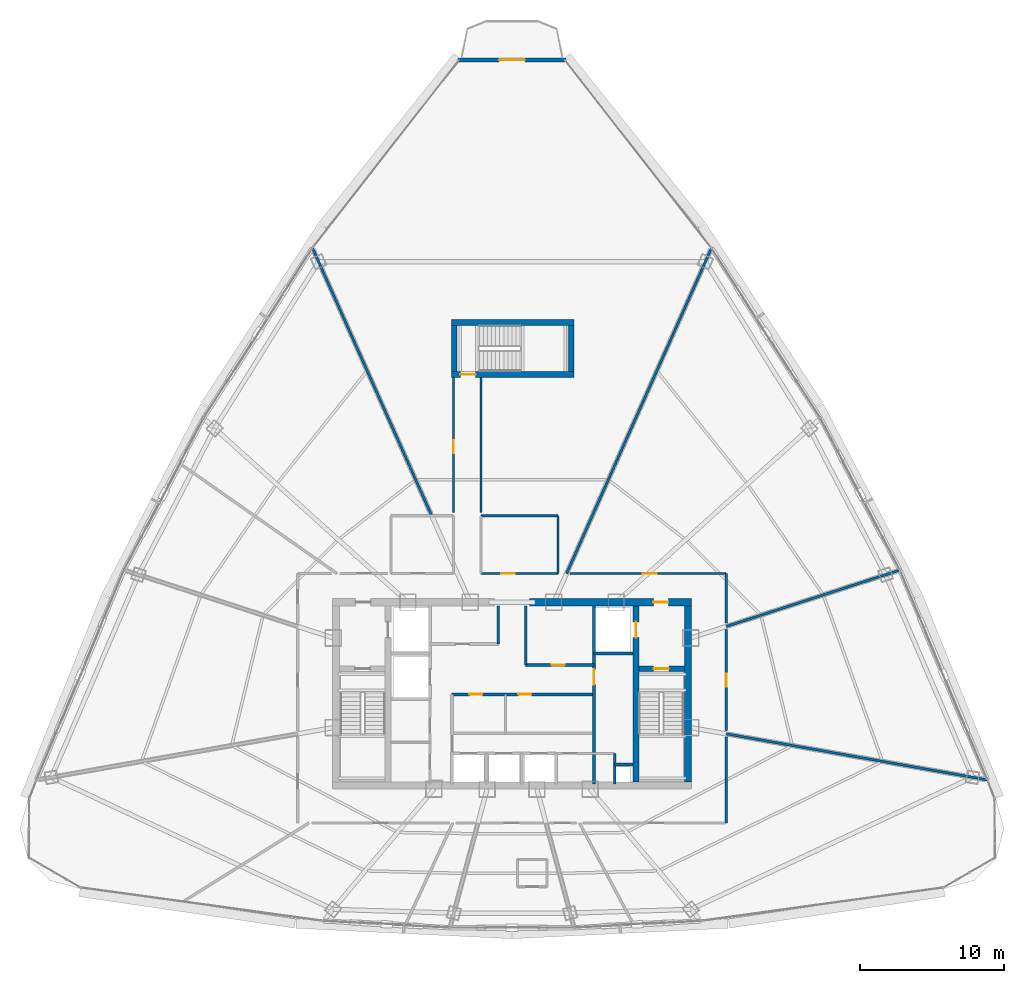
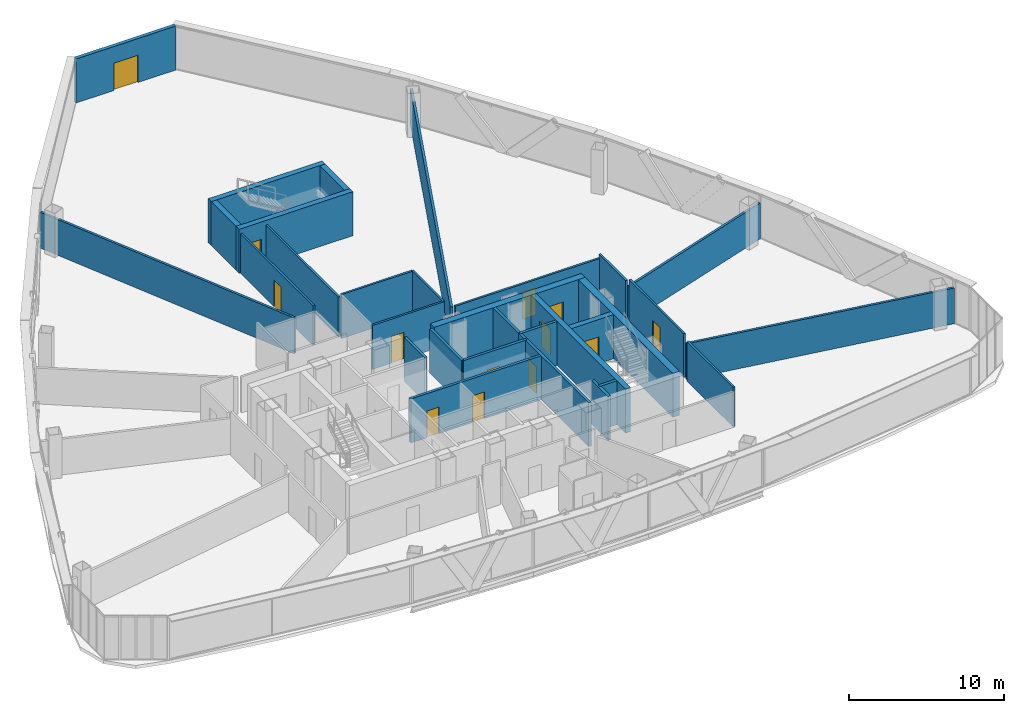
# One storey, part 31 of 36: 31 walls, 13 doors, 13 openings.
"""IFC4 building model written with IfcOpenShell, lengths in metres."""

from ifc_helpers import new_model, si_unit, direction, frame, frame_2d, origin, origin_with_axes, place, context, subcontext, project, spatial, rectangle, extrude, source, transform, mapped, material, layer, layer_set, type_object, element, fill, save


model = new_model("IFC4")

# Units and contexts
model_context = context("Model", 3, precision=1e-05, world=origin(), true_north=direction((0.0, 1.0)))
body_context = subcontext(model_context, "Body", "Model", "MODEL_VIEW")
ifc_project = project(units=[si_unit("LENGTHUNIT", "METRE"), si_unit("AREAUNIT", "SQUARE_METRE"), si_unit("VOLUMEUNIT", "CUBIC_METRE"), si_unit("PLANEANGLEUNIT", "RADIAN"), si_unit("MASSUNIT", "GRAM", prefix="KILO"), si_unit("THERMODYNAMICTEMPERATUREUNIT", "KELVIN"), si_unit("POWERUNIT", "WATT")], contexts=[model_context])

# Site, building, storey
site_placement = place(None, origin())
site = spatial("IfcSite", under=ifc_project, at=site_placement, CompositionType="ELEMENT")
building_placement = place(site_placement, origin())
building = spatial("IfcBuilding", under=site, at=building_placement, Name="Yunzhuo Pagoda Commons", CompositionType="ELEMENT")
storey_placement = place(building_placement, frame((0.0, 0.0, 263.179931640625)))
storey = spatial("IfcBuildingStorey", under=building, at=storey_placement, Name="L66", CompositionType="ELEMENT", Elevation=263.179931640625)

# Wall, opening, door
ifc_material_1 = material(Name="Precast concrete C40", Category="concrete")
ifc_layer_1 = layer(ifc_material_1, 0.260009765625)
ifc_layer_set_1 = layer_set([ifc_layer_1], Name="Precast concrete C40")
wall_type_1 = type_object("IfcWallType", Name="W-BAL1 Corner Balcony Threshold Wall 260", PredefinedType="STANDARD", material=ifc_layer_set_1)
wall_1_placement = place(storey_placement, frame((51.729248046875, 77.794921875, 0.0), z_axis=(0.0, 0.0, 1.0), x_axis=(-1.0, 0.0, 0.0)))
wall_1 = element("IfcWall", 1, at=wall_1_placement, inside=storey, type_object=wall_type_1, Name="L66 corner balcony wall V3", PredefinedType="STANDARD", context=body_context, shape_type="SweptSolid", body=[
    extrude(rectangle(XDim=7.45849609375, YDim=0.260009765625, at=frame_2d((3.729248046875, 0.0))), origin(), (0.0, 0.0, 1.0), 3.469970703125),
])
opening_1_placement = place(wall_1_placement, frame((2.829345703125, 0.0, 0.0)))
opening_1 = element("IfcOpeningElement", 2, at=opening_1_placement, cuts=wall_1, Name="Opening D-BAL1", PredefinedType="OPENING", context=body_context, shape_type="SweptSolid", body=[
    extrude(rectangle(XDim=1.800048828125, YDim=2.14990234375, at=frame_2d((0.89990234375, 1.074951171875))), frame((0.0, 0.14013671875, 0.0), z_axis=(0.0, -1.0, 0.0), x_axis=(1.0, 0.0, 0.0)), (0.0, 0.0, 1.0), 0.280029296875),
])
ifc_material_2 = material(Name="Anodized aluminium frame and tempered glazed leaf", Category="aluminium")
door_type_1 = type_object("IfcDoorType", Name="D-BAL1 Corner Balcony Sliding Glazed Door 1800x2150", OperationType="DOUBLE_DOOR_SLIDING", PredefinedType="DOOR", material=ifc_material_2)
shared_shape_1 = source(origin(), body_context, "Body", "SweptSolid", [
    extrude(rectangle(XDim=1.800048828125, YDim=2.14990234375, at=frame_2d((0.89990234375, 1.074951171875))), frame((0.0, 0.02490234375, 0.0), z_axis=(0.0, -1.0, 0.0), x_axis=(1.0, 0.0, 0.0)), (0.0, 0.0, 1.0), 0.050048828125),
])
door_1_placement = place(opening_1_placement, origin_with_axes())
door_1 = element("IfcDoor", 3, at=door_1_placement, inside=storey, type_object=door_type_1, Name="L66 corner balcony sliding door V3", OperationType="DOUBLE_DOOR_SLIDING", OverallHeight=2.14990234375, OverallWidth=1.800048828125, PredefinedType="DOOR", context=body_context, shape_type="MappedRepresentation", body=[
    mapped(shared_shape_1, transform((0.0, 0.0, 0.0), scale=1.0)),
])
fill(opening_1, door_1)

ifc_material_3 = material(Name="Concrete C50", Category="concrete")
ifc_layer_2 = layer(ifc_material_3, 0.5)
ifc_layer_set_2 = layer_set([ifc_layer_2], Name="Concrete C50")
wall_type_2 = type_object("IfcWallType", Name="W-C03 Upper Core Shear Wall 500", PredefinedType="SHEAR", material=ifc_layer_set_2)
wall_2_placement = place(storey_placement, frame((49.199951171875, 40.199951171875, 0.0), z_axis=(0.0, 0.0, 1.0), x_axis=(1.0, 0.0, 0.0)))
wall_2 = element("IfcWall", 4, at=wall_2_placement, inside=storey, type_object=wall_type_2, Name="L66 core shear wall NE", PredefinedType="SHEAR", context=body_context, shape_type="SweptSolid", body=[
    extrude(rectangle(XDim=11.25, YDim=0.5, at=frame_2d((5.625, 0.0))), origin(), (0.0, 0.0, 1.0), 3.469970703125),
])
opening_2_placement = place(wall_2_placement, frame((8.60009765625, 0.0, 0.0)))
opening_2 = element("IfcOpeningElement", 5, at=opening_2_placement, cuts=wall_2, Name="Opening D-02", PredefinedType="OPENING", context=body_context, shape_type="SweptSolid", body=[
    extrude(rectangle(XDim=1.050048828125, YDim=2.10009765625, at=frame_2d((0.52490234375, 1.050048828125))), frame((0.0, 0.260009765625, 0.0), z_axis=(0.0, -1.0, 0.0), x_axis=(1.0, 0.0, 0.0)), (0.0, 0.0, 1.0), 0.52001953125),
])
ifc_material_4 = material(Name="Galvanized fire-resisting metal leaf")
door_type_2 = type_object("IfcDoorType", Name="D-02 Firefighting Lobby & Refuge Fire Door 1050x2100", OperationType="NOTDEFINED", PredefinedType="DOOR", material=ifc_material_4)
shared_shape_2 = source(origin(), body_context, "Body", "SweptSolid", [
    extrude(rectangle(XDim=1.050048828125, YDim=2.10009765625, at=frame_2d((0.52490234375, 1.050048828125))), frame((0.0, 0.02490234375, 0.0), z_axis=(0.0, -1.0, 0.0), x_axis=(1.0, 0.0, 0.0)), (0.0, 0.0, 1.0), 0.050048828125),
])
door_2_placement = place(opening_2_placement, frame((1.050048828125, 0.0, 0.0), z_axis=(0.0, 0.0, 1.0), x_axis=(-1.0, 0.0, 0.0)))
door_2 = element("IfcDoor", 6, at=door_2_placement, inside=storey, type_object=door_type_2, Name="L66 Firefighting Lobby 2 fire door", OperationType="SINGLE_SWING_RIGHT", OverallHeight=2.10009765625, OverallWidth=1.050048828125, PredefinedType="DOOR", context=body_context, shape_type="MappedRepresentation", body=[
    mapped(shared_shape_2, transform((0.0, 0.0, 0.0), scale=1.0)),
])
fill(opening_2, door_2)

# Wall
wall_3_placement = place(storey_placement, frame((60.199951171875, 27.75, 0.0), z_axis=(0.0, 0.0, 1.0), x_axis=(0.0, 1.0, 0.0)))
element("IfcWall", 7, at=wall_3_placement, inside=storey, type_object=wall_type_2, Name="L66 core shear wall E", PredefinedType="SHEAR", context=body_context, shape_type="SweptSolid", body=[
    extrude(rectangle(XDim=12.199951171875, YDim=0.5, at=frame_2d((6.10009765625, 0.0))), origin(), (0.0, 0.0, 1.0), 3.469970703125),
])

# Wall, opening, door
ifc_material_5 = material(Name="Gypsum plasterboard on acoustic stud")
ifc_layer_3 = layer(ifc_material_5, 0.14990234375)
ifc_layer_set_3 = layer_set([ifc_layer_3], Name="Gypsum plasterboard on acoustic stud")
wall_type_3 = type_object("IfcWallType", Name="W-COR3 High-Zone Rated Corridor Wall 150", PredefinedType="PARTITIONING", material=ifc_layer_set_3)
wall_4_placement = place(storey_placement, frame((45.85009765625, 42.199951171875, 0.0), z_axis=(0.0, 0.0, 1.0), x_axis=(1.0, 0.0, 0.0)))
wall_4 = element("IfcWall", 8, at=wall_4_placement, inside=storey, type_object=wall_type_3, Name="L66 interior wall IW-L66-TFES", PredefinedType="PARTITIONING", context=body_context, shape_type="SweptSolid", body=[
    extrude(rectangle(XDim=5.349853515625, YDim=0.14990234375, at=frame_2d((2.6748046875, 0.0))), origin(), (0.0, 0.0, 1.0), 3.469970703125),
])
opening_3_placement = place(wall_4_placement, frame((1.39990234375, 0.0, 0.0)))
opening_3 = element("IfcOpeningElement", 9, at=opening_3_placement, cuts=wall_4, Name="Opening D-11", PredefinedType="OPENING", context=body_context, shape_type="SweptSolid", body=[
    extrude(rectangle(XDim=0.93994140625, YDim=2.10009765625, at=frame_2d((0.469970703125, 1.050048828125))), frame((0.0, 0.0849609375, 0.0), z_axis=(0.0, -1.0, 0.0), x_axis=(1.0, 0.0, 0.0)), (0.0, 0.0, 1.0), 0.169921875),
])
door_type_3 = type_object("IfcDoorType", Name="D-11 Accessible Washroom Fire Door 940x2100", OperationType="NOTDEFINED", PredefinedType="DOOR", material=ifc_material_4)
shared_shape_3 = source(origin(), body_context, "Body", "SweptSolid", [
    extrude(rectangle(XDim=0.93994140625, YDim=2.10009765625, at=frame_2d((0.469970703125, 1.050048828125))), frame((0.0, 0.02490234375, 0.0), z_axis=(0.0, -1.0, 0.0), x_axis=(1.0, 0.0, 0.0)), (0.0, 0.0, 1.0), 0.050048828125),
])
door_3_placement = place(opening_3_placement, frame((0.93994140625, 0.0, 0.0), z_axis=(0.0, 0.0, 1.0), x_axis=(-1.0, 0.0, 0.0)))
door_3 = element("IfcDoor", 10, at=door_3_placement, inside=storey, type_object=door_type_3, Name="L66 accessible WC door", OperationType="SINGLE_SWING_RIGHT", OverallHeight=2.10009765625, OverallWidth=0.93994140625, PredefinedType="DOOR", context=body_context, shape_type="MappedRepresentation", body=[
    mapped(shared_shape_3, transform((0.0, 0.0, 0.0), scale=1.0)),
])
fill(opening_3, door_3)

# Walls
wall_5_placement = place(storey_placement, frame((45.85009765625, 46.199951171875, 0.0), z_axis=(0.0, 0.0, 1.0), x_axis=(1.0, 0.0, 0.0)))
element("IfcWall", 11, at=wall_5_placement, inside=storey, type_object=wall_type_3, Name="L66 interior wall IW-L66-TFEN", PredefinedType="PARTITIONING", context=body_context, shape_type="SweptSolid", body=[
    extrude(rectangle(XDim=5.349853515625, YDim=0.14990234375, at=frame_2d((2.6748046875, 0.0))), origin(), (0.0, 0.0, 1.0), 3.469970703125),
])
wall_6_placement = place(storey_placement, frame((51.199951171875, 42.199951171875, 0.0), z_axis=(0.0, 0.0, 1.0), x_axis=(0.0, 1.0, 0.0)))
element("IfcWall", 12, at=wall_6_placement, inside=storey, type_object=wall_type_3, Name="L66 interior wall IW-L66-TFEE", PredefinedType="PARTITIONING", context=body_context, shape_type="SweptSolid", body=[
    extrude(rectangle(XDim=4.0, YDim=0.14990234375, at=frame_2d((2.0, 0.0))), origin(), (0.0, 0.0, 1.0), 3.469970703125),
])

# Wall, opening, door
wall_7_placement = place(storey_placement, frame((43.949951171875, 46.419921875, 0.0), z_axis=(0.0, 0.0, 1.0), x_axis=(0.0, 1.0, 0.0)))
wall_7 = element("IfcWall", 13, at=wall_7_placement, inside=storey, type_object=wall_type_3, Name="L66 interior wall IW-L66-CWL06", PredefinedType="PARTITIONING", context=body_context, shape_type="SweptSolid", body=[
    extrude(rectangle(XDim=9.360107421875, YDim=0.14990234375, at=frame_2d((4.68017578125, 0.0))), origin(), (0.0, 0.0, 1.0), 3.1201171875),
])
opening_4_placement = place(wall_7_placement, frame((4.110107421875, 0.0, 0.0)))
opening_4 = element("IfcOpeningElement", 14, at=opening_4_placement, cuts=wall_7, Name="Opening D-04", PredefinedType="OPENING", context=body_context, shape_type="SweptSolid", body=[
    extrude(rectangle(XDim=0.919921875, YDim=2.10009765625, at=frame_2d((0.4599609375, 1.050048828125))), frame((0.0, 0.0849609375, 0.0), z_axis=(0.0, -1.0, 0.0), x_axis=(1.0, 0.0, 0.0)), (0.0, 0.0, 1.0), 0.169921875),
])
ifc_material_6 = material(Name="Powder-coated aluminium and timber acoustic leaf", Category="wood")
door_type_4 = type_object("IfcDoorType", Name="D-04 Bedroom & Study Interior Door 920x2100", OperationType="NOTDEFINED", PredefinedType="DOOR", material=ifc_material_6)
shared_shape_4 = source(origin(), body_context, "Body", "SweptSolid", [
    extrude(rectangle(XDim=0.919921875, YDim=2.10009765625, at=frame_2d((0.4599609375, 1.050048828125))), frame((0.0, 0.02490234375, 0.0), z_axis=(0.0, -1.0, 0.0), x_axis=(1.0, 0.0, 0.0)), (0.0, 0.0, 1.0), 0.050048828125),
])
door_4_placement = place(opening_4_placement, origin_with_axes())
door_4 = element("IfcDoor", 15, at=door_4_placement, inside=storey, type_object=door_type_4, Name="L66 seminar room 03 door", OperationType="SINGLE_SWING_RIGHT", OverallHeight=2.10009765625, OverallWidth=0.919921875, PredefinedType="DOOR", context=body_context, shape_type="MappedRepresentation", body=[
    mapped(shared_shape_4, transform((0.0, 0.0, 0.0), scale=1.0)),
])
fill(opening_4, door_4)

# Wall
wall_8_placement = place(storey_placement, frame((45.85009765625, 55.780029296875, 0.0), z_axis=(0.0, 0.0, 1.0), x_axis=(0.0, -1.0, 0.0)))
element("IfcWall", 16, at=wall_8_placement, inside=storey, type_object=wall_type_3, Name="L66 interior wall IW-L66-CWL07", PredefinedType="PARTITIONING", context=body_context, shape_type="SweptSolid", body=[
    extrude(rectangle(XDim=9.360107421875, YDim=0.14990234375, at=frame_2d((4.68017578125, 0.0))), origin(), (0.0, 0.0, 1.0), 3.1201171875),
])

# Wall, opening, door
wall_9_placement = place(storey_placement, frame((52.025146484375, 42.199951171875, 0.0), z_axis=(0.0, 0.0, 1.0), x_axis=(1.0, 0.0, 0.0)))
wall_9 = element("IfcWall", 17, at=wall_9_placement, inside=storey, type_object=wall_type_3, Name="L66 interior wall IW-L66-CWL08", PredefinedType="PARTITIONING", context=body_context, shape_type="SweptSolid", body=[
    extrude(rectangle(XDim=10.824951171875, YDim=0.14990234375, at=frame_2d((5.41259765625, 0.0))), origin(), (0.0, 0.0, 1.0), 2.820068359375),
])
opening_5_placement = place(wall_9_placement, frame((5.047119140625, 0.0, 0.0)))
opening_5 = element("IfcOpeningElement", 18, at=opening_5_placement, cuts=wall_9, Name="Opening D-08", PredefinedType="OPENING", context=body_context, shape_type="SweptSolid", body=[
    extrude(rectangle(XDim=0.97998046875, YDim=2.1201171875, at=frame_2d((0.489990234375, 1.06005859375))), frame((0.0, 0.0849609375, 0.0), z_axis=(0.0, -1.0, 0.0), x_axis=(1.0, 0.0, 0.0)), (0.0, 0.0, 1.0), 0.169921875),
])
door_type_5 = type_object("IfcDoorType", Name="D-08 High-Zone Suite Entrance Fire Door 980x2120", OperationType="NOTDEFINED", PredefinedType="DOOR", material=ifc_material_4)
shared_shape_5 = source(origin(), body_context, "Body", "SweptSolid", [
    extrude(rectangle(XDim=0.97998046875, YDim=2.1201171875, at=frame_2d((0.489990234375, 1.06005859375))), frame((0.0, 0.02490234375, 0.0), z_axis=(0.0, -1.0, 0.0), x_axis=(1.0, 0.0, 0.0)), (0.0, 0.0, 1.0), 0.050048828125),
])
door_5_placement = place(opening_5_placement, origin_with_axes())
door_5 = element("IfcDoor", 19, at=door_5_placement, inside=storey, type_object=door_type_5, Name="L66 Shared Resident Kitchen and Pantry door", OperationType="SINGLE_SWING_LEFT", OverallHeight=2.1201171875, OverallWidth=0.97998046875, PredefinedType="DOOR", context=body_context, shape_type="MappedRepresentation", body=[
    mapped(shared_shape_5, transform((0.0, 0.0, 0.0), scale=1.0)),
])
fill(opening_5, door_5)

# Wall
wall_10_placement = place(storey_placement, frame((62.85009765625, 42.199951171875, 0.0), z_axis=(0.0, 0.0, 1.0), x_axis=(0.0, -1.0, 0.0)))
element("IfcWall", 20, at=wall_10_placement, inside=storey, type_object=wall_type_3, Name="L66 interior wall IW-L66-CWL09", PredefinedType="PARTITIONING", context=body_context, shape_type="SweptSolid", body=[
    extrude(rectangle(XDim=3.443603515625, YDim=0.14990234375, at=frame_2d((1.7216796875, 0.0))), origin(), (0.0, 0.0, 1.0), 3.1201171875),
])

# Wall, opening, door
wall_11_placement = place(storey_placement, frame((62.85009765625, 38.305419921875, 0.0), z_axis=(0.0, 0.0, 1.0), x_axis=(0.0, -1.0, 0.0)))
wall_11 = element("IfcWall", 21, at=wall_11_placement, inside=storey, type_object=wall_type_3, Name="L66 interior wall IW-L66-CWL10", PredefinedType="PARTITIONING", context=body_context, shape_type="SweptSolid", body=[
    extrude(rectangle(XDim=7.004150390625, YDim=0.14990234375, at=frame_2d((3.501953125, 0.0))), origin(), (0.0, 0.0, 1.0), 3.469970703125),
])
opening_6_placement = place(wall_11_placement, frame((3.0419921875, 0.0, 0.0)))
opening_6 = element("IfcOpeningElement", 22, at=opening_6_placement, cuts=wall_11, Name="Opening D-04", PredefinedType="OPENING", context=body_context, shape_type="SweptSolid", body=[
    extrude(rectangle(XDim=0.919921875, YDim=2.10009765625, at=frame_2d((0.4599609375, 1.050048828125))), frame((0.0, 0.0849609375, 0.0), z_axis=(0.0, -1.0, 0.0), x_axis=(1.0, 0.0, 0.0)), (0.0, 0.0, 1.0), 0.169921875),
])
door_6_placement = place(opening_6_placement, origin_with_axes())
door_6 = element("IfcDoor", 23, at=door_6_placement, inside=storey, type_object=door_type_4, Name="L66 seminar room 01 door", OperationType="SINGLE_SWING_RIGHT", OverallHeight=2.10009765625, OverallWidth=0.919921875, PredefinedType="DOOR", context=body_context, shape_type="MappedRepresentation", body=[
    mapped(shared_shape_4, transform((0.0, 0.0, 0.0), scale=1.0)),
])
fill(opening_6, door_6)

# Walls
wall_12_placement = place(storey_placement, frame((62.85009765625, 30.858154296875, 0.0), z_axis=(0.0, 0.0, 1.0), x_axis=(0.0, -1.0, 0.0)))
element("IfcWall", 24, at=wall_12_placement, inside=storey, type_object=wall_type_3, Name="L66 interior wall IW-L66-CWL11", PredefinedType="PARTITIONING", context=body_context, shape_type="SweptSolid", body=[
    extrude(rectangle(XDim=5.958251953125, YDim=0.14990234375, at=frame_2d((2.97900390625, 0.0))), origin(), (0.0, 0.0, 1.0), 3.1201171875),
])
ifc_layer_4 = layer(ifc_material_5, 0.169921875)
ifc_layer_set_4 = layer_set([ifc_layer_4], Name="Gypsum plasterboard on acoustic stud")
wall_type_4 = type_object("IfcWallType", Name="W-PRT4 High-Zone Demising Wall 170", PredefinedType="PARTITIONING", material=ifc_layer_set_4)
wall_13_placement = place(storey_placement, frame((62.85009765625, 38.525146484375, 0.0), z_axis=(0.0, 0.0, 1.0), x_axis=(0.951057436246, 0.309014163043, 0.0)))
element("IfcWall", 25, at=wall_13_placement, inside=storey, type_object=wall_type_4, Name="L66 interior wall IW-L66-RAD01", PredefinedType="PARTITIONING", context=body_context, shape_type="SweptSolid", body=[
    extrude(rectangle(XDim=12.6669921875, YDim=0.169921875, at=frame_2d((6.33349609375, 0.0))), origin(), (0.0, 0.0, 1.0), 2.820068359375),
])
wall_14_placement = place(storey_placement, frame((51.784423828125, 42.199951171875, 0.0), z_axis=(0.0, 0.0, 1.0), x_axis=(0.406737985753, 0.913544859843, 0.0)))
element("IfcWall", 26, at=wall_14_placement, inside=storey, type_object=wall_type_4, Name="L66 interior wall IW-L66-RAD02", PredefinedType="PARTITIONING", context=body_context, shape_type="SweptSolid", body=[
    extrude(rectangle(XDim=24.70703125, YDim=0.169921875, at=frame_2d((12.353515625, 0.0))), origin(), (0.0, 0.0, 1.0), 2.820068359375),
])
wall_15_placement = place(storey_placement, frame((42.4345703125, 46.199951171875, 0.0), z_axis=(0.0, 0.0, 1.0), x_axis=(-0.406734534197, 0.913546396573, 0.0)))
element("IfcWall", 27, at=wall_15_placement, inside=storey, type_object=wall_type_4, Name="L66 interior wall IW-L66-RAD03", PredefinedType="PARTITIONING", context=body_context, shape_type="SweptSolid", body=[
    extrude(rectangle(XDim=20.32861328125, YDim=0.169921875, at=frame_2d((10.164306640625, 0.0))), origin(), (0.0, 0.0, 1.0), 2.820068359375),
])
wall_16_placement = place(storey_placement, frame((62.85009765625, 31.08154296875, 0.0), z_axis=(0.0, 0.0, 1.0), x_axis=(0.984806394916, -0.173655879639, 0.0)))
element("IfcWall", 28, at=wall_16_placement, inside=storey, type_object=wall_type_4, Name="L66 interior wall IW-L66-RAD12", PredefinedType="PARTITIONING", context=body_context, shape_type="SweptSolid", body=[
    extrude(rectangle(XDim=18.3974609375, YDim=0.169921875, at=frame_2d((9.19873046875, 0.0))), origin(), (0.0, 0.0, 1.0), 2.820068359375),
])

# Wall, opening, door
ifc_material_7 = material(Name="Concrete C60", Category="concrete")
ifc_layer_5 = layer(ifc_material_7, 0.39990234375)
ifc_layer_set_5 = layer_set([ifc_layer_5], Name="Concrete C60")
wall_type_5 = type_object("IfcWallType", Name="W-S01 Internal Core Shear Web 400", PredefinedType="SHEAR", material=ifc_layer_set_5)
wall_17_placement = place(storey_placement, frame((56.60009765625, 27.75, 0.0), z_axis=(0.0, 0.0, 1.0), x_axis=(0.0, 1.0, 0.0)))
wall_17 = element("IfcWall", 29, at=wall_17_placement, inside=storey, type_object=wall_type_5, Name="L66 core shear wall WEBE", PredefinedType="SHEAR", context=body_context, shape_type="SweptSolid", body=[
    extrude(rectangle(XDim=12.199951171875, YDim=0.39990234375, at=frame_2d((6.10009765625, 0.0))), origin(), (0.0, 0.0, 1.0), 3.469970703125),
])
opening_7_placement = place(wall_17_placement, frame((10.0, 0.0, 0.0)))
opening_7 = element("IfcOpeningElement", 30, at=opening_7_placement, cuts=wall_17, Name="Opening LD-01", PredefinedType="OPENING", context=body_context, shape_type="SweptSolid", body=[
    extrude(rectangle(XDim=1.10009765625, YDim=2.10009765625, at=frame_2d((0.550048828125, 1.050048828125))), frame((0.0, 0.2099609375, 0.0), z_axis=(0.0, -1.0, 0.0), x_axis=(1.0, 0.0, 0.0)), (0.0, 0.0, 1.0), 0.419921875),
])
door_type_6 = type_object("IfcDoorType", Name="LD-01 Firefighting Lift Landing Door 1100x2100", OperationType="DOUBLE_DOOR_SLIDING", PredefinedType="DOOR", material=ifc_material_4)
shared_shape_6 = source(origin(), body_context, "Body", "SweptSolid", [
    extrude(rectangle(XDim=1.10009765625, YDim=2.10009765625, at=frame_2d((0.550048828125, 1.050048828125))), frame((0.0, 0.02490234375, 0.0), z_axis=(0.0, -1.0, 0.0), x_axis=(1.0, 0.0, 0.0)), (0.0, 0.0, 1.0), 0.050048828125),
])
door_7_placement = place(opening_7_placement, origin_with_axes())
door_7 = element("IfcDoor", 31, at=door_7_placement, inside=storey, type_object=door_type_6, Name="L66 Firefighting lift FL-2 landing door", OperationType="DOUBLE_DOOR_SLIDING", OverallHeight=2.10009765625, OverallWidth=1.10009765625, PredefinedType="DOOR", context=body_context, shape_type="MappedRepresentation", body=[
    mapped(shared_shape_6, transform((0.0, 0.0, 0.0), scale=1.0)),
])
fill(opening_7, door_7)

wall_18_placement = place(storey_placement, frame((56.800048828125, 35.60009765625, 0.0), z_axis=(0.0, 0.0, 1.0), x_axis=(1.0, 0.0, 0.0)))
wall_18 = element("IfcWall", 32, at=wall_18_placement, inside=storey, type_object=wall_type_5, Name="L66 core shear wall STE", PredefinedType="SHEAR", context=body_context, shape_type="SweptSolid", body=[
    extrude(rectangle(XDim=3.14990234375, YDim=0.39990234375, at=frame_2d((1.574951171875, 0.0))), origin(), (0.0, 0.0, 1.0), 3.469970703125),
])
opening_8_placement = place(wall_18_placement, frame((1.02001953125, 0.0, 0.0)))
opening_8 = element("IfcOpeningElement", 33, at=opening_8_placement, cuts=wall_18, Name="Opening D-01", PredefinedType="OPENING", context=body_context, shape_type="SweptSolid", body=[
    extrude(rectangle(XDim=1.050048828125, YDim=2.10009765625, at=frame_2d((0.52490234375, 1.050048828125))), frame((0.0, 0.2099609375, 0.0), z_axis=(0.0, -1.0, 0.0), x_axis=(1.0, 0.0, 0.0)), (0.0, 0.0, 1.0), 0.419921875),
])
door_type_7 = type_object("IfcDoorType", Name="D-01 Smokeproof Stair Fire Door 1050x2100", OperationType="NOTDEFINED", PredefinedType="DOOR", material=ifc_material_4)
door_8_placement = place(opening_8_placement, frame((1.050048828125, 0.0, 0.0), z_axis=(0.0, 0.0, 1.0), x_axis=(-1.0, 0.0, 0.0)))
door_8 = element("IfcDoor", 34, at=door_8_placement, inside=storey, type_object=door_type_7, Name="L66 Stair ST2 fire door", OperationType="SINGLE_SWING_RIGHT", OverallHeight=2.10009765625, OverallWidth=1.050048828125, PredefinedType="DOOR", context=body_context, shape_type="MappedRepresentation", body=[
    mapped(shared_shape_2, transform((0.0, 0.0, 0.0), scale=1.0)),
])
fill(opening_8, door_8)

# Wall
wall_19_placement = place(storey_placement, frame((43.800048828125, 59.60009765625, 0.0), z_axis=(0.0, 0.0, 1.0), x_axis=(1.0, 0.0, 0.0)))
element("IfcWall", 35, at=wall_19_placement, inside=storey, type_object=wall_type_5, Name="L66 ST3 structural stair wall N", PredefinedType="SHEAR", context=body_context, shape_type="SweptSolid", body=[
    extrude(rectangle(XDim=8.5, YDim=0.39990234375, at=frame_2d((4.25, 0.0))), origin(), (0.0, 0.0, 1.0), 3.469970703125),
])

# Wall, opening, door
wall_20_placement = place(storey_placement, frame((43.800048828125, 56.0, 0.0), z_axis=(0.0, 0.0, 1.0), x_axis=(1.0, 0.0, 0.0)))
wall_20 = element("IfcWall", 36, at=wall_20_placement, inside=storey, type_object=wall_type_5, Name="L66 ST3 structural stair wall S", PredefinedType="SHEAR", context=body_context, shape_type="SweptSolid", body=[
    extrude(rectangle(XDim=8.5, YDim=0.39990234375, at=frame_2d((4.25, 0.0))), origin(), (0.0, 0.0, 1.0), 3.469970703125),
])
opening_9_placement = place(wall_20_placement, frame((0.6201171875, 0.0, 0.0)))
opening_9 = element("IfcOpeningElement", 37, at=opening_9_placement, cuts=wall_20, Name="Opening D-01", PredefinedType="OPENING", context=body_context, shape_type="SweptSolid", body=[
    extrude(rectangle(XDim=1.050048828125, YDim=2.10009765625, at=frame_2d((0.52490234375, 1.050048828125))), frame((0.0, 0.2099609375, 0.0), z_axis=(0.0, -1.0, 0.0), x_axis=(1.0, 0.0, 0.0)), (0.0, 0.0, 1.0), 0.419921875),
])
door_9_placement = place(opening_9_placement, frame((1.050048828125, 0.0, 0.0), z_axis=(0.0, 0.0, 1.0), x_axis=(-1.0, 0.0, 0.0)))
door_9 = element("IfcDoor", 38, at=door_9_placement, inside=storey, type_object=door_type_7, Name="L66 Stair ST3 fire door", OperationType="SINGLE_SWING_LEFT", OverallHeight=2.10009765625, OverallWidth=1.050048828125, PredefinedType="DOOR", context=body_context, shape_type="MappedRepresentation", body=[
    mapped(shared_shape_2, transform((0.0, 0.0, 0.0), scale=1.0)),
])
fill(opening_9, door_9)

# Walls
for number, where, z_axis, x_axis, name in (
    (39, (44.0, 56.199951171875, 0.0), (0.0, 0.0, 1.0), (0.0, 1.0, 0.0), "L66 ST3 structural stair wall W"),
    (40, (52.10009765625, 56.199951171875, 0.0), (0.0, 0.0, 1.0), (0.0, 1.0, 0.0), "L66 ST3 structural stair wall E"),
):
    element("IfcWall", number, at=place(storey_placement, frame(where, z_axis=z_axis, x_axis=x_axis)), inside=storey, type_object=wall_type_5, Name=name, PredefinedType="SHEAR", context=body_context, shape_type="SweptSolid", body=[
        extrude(rectangle(XDim=3.199951171875, YDim=0.39990234375, at=frame_2d((1.60009765625, 0.0))), origin(), (0.0, 0.0, 1.0), 3.469970703125),
    ])
ifc_material_8 = material(Name="Concrete C40", Category="concrete")
ifc_layer_6 = layer(ifc_material_8, 0.199951171875)
ifc_layer_set_6 = layer_set([ifc_layer_6], Name="Concrete C40")
wall_type_6 = type_object("IfcWallType", Name="W-SHF Shaft & Stair Enclosure Wall 200", PredefinedType="SOLIDWALL", material=ifc_layer_set_6)
wall_21_placement = place(storey_placement, frame((53.679931640625, 36.64990234375, 0.0), z_axis=(0.0, 0.0, 1.0), x_axis=(0.0, 1.0, 0.0)))
element("IfcWall", 41, at=wall_21_placement, inside=storey, type_object=wall_type_6, Name="L66 interior wall IW-L66-FL2W", PredefinedType="SOLIDWALL", context=body_context, shape_type="SweptSolid", body=[
    extrude(rectangle(XDim=3.300048828125, YDim=0.199951171875, at=frame_2d((1.64990234375, 0.0))), origin(), (0.0, 0.0, 1.0), 3.469970703125),
])
wall_22_placement = place(storey_placement, frame((53.679931640625, 36.64990234375, 0.0), z_axis=(0.0, 0.0, 1.0), x_axis=(1.0, 0.0, 0.0)))
element("IfcWall", 42, at=wall_22_placement, inside=storey, type_object=wall_type_6, Name="L66 interior wall IW-L66-FL2S", PredefinedType="SOLIDWALL", context=body_context, shape_type="SweptSolid", body=[
    extrude(rectangle(XDim=2.719970703125, YDim=0.199951171875, at=frame_2d((1.35986328125, 0.0))), origin(), (0.0, 0.0, 1.0), 3.469970703125),
])

# Wall, opening, door
wall_23_placement = place(storey_placement, frame((48.949951171875, 35.85009765625, 0.0), z_axis=(0.0, 0.0, 1.0), x_axis=(1.0, 0.0, 0.0)))
wall_23 = element("IfcWall", 43, at=wall_23_placement, inside=storey, type_object=wall_type_6, Name="L66 interior wall IW-L66-LBNE", PredefinedType="SOLIDWALL", context=body_context, shape_type="SweptSolid", body=[
    extrude(rectangle(XDim=4.72998046875, YDim=0.199951171875, at=frame_2d((2.364990234375, 0.0))), origin(), (0.0, 0.0, 1.0), 3.469970703125),
])
opening_10_placement = place(wall_23_placement, frame((1.800048828125, 0.0, 0.0)))
opening_10 = element("IfcOpeningElement", 44, at=opening_10_placement, cuts=wall_23, Name="Opening D-03", PredefinedType="OPENING", context=body_context, shape_type="SweptSolid", body=[
    extrude(rectangle(XDim=0.89990234375, YDim=2.10009765625, at=frame_2d((0.449951171875, 1.050048828125))), frame((0.0, 0.10986328125, 0.0), z_axis=(0.0, -1.0, 0.0), x_axis=(1.0, 0.0, 0.0)), (0.0, 0.0, 1.0), 0.219970703125),
])
door_type_8 = type_object("IfcDoorType", Name="D-03 Core Service Fire Door 900x2100", OperationType="NOTDEFINED", PredefinedType="DOOR", material=ifc_material_4)
shared_shape_7 = source(origin(), body_context, "Body", "SweptSolid", [
    extrude(rectangle(XDim=0.89990234375, YDim=2.10009765625, at=frame_2d((0.449951171875, 1.050048828125))), frame((0.0, 0.02490234375, 0.0), z_axis=(0.0, -1.0, 0.0), x_axis=(1.0, 0.0, 0.0)), (0.0, 0.0, 1.0), 0.050048828125),
])
door_10_placement = place(opening_10_placement, frame((0.89990234375, 0.0, 0.0), z_axis=(0.0, 0.0, 1.0), x_axis=(-1.0, 0.0, 0.0)))
door_10 = element("IfcDoor", 45, at=door_10_placement, inside=storey, type_object=door_type_8, Name="L66 core east store door", OperationType="SINGLE_SWING_RIGHT", OverallHeight=2.10009765625, OverallWidth=0.89990234375, PredefinedType="DOOR", context=body_context, shape_type="MappedRepresentation", body=[
    mapped(shared_shape_7, transform((0.0, 0.0, 0.0), scale=1.0)),
])
fill(opening_10, door_10)

# Walls
wall_24_placement = place(storey_placement, frame((47.050048828125, 37.320068359375, 0.0), z_axis=(0.0, 0.0, 1.0), x_axis=(0.0, 1.0, 0.0)))
element("IfcWall", 46, at=wall_24_placement, inside=storey, type_object=wall_type_6, Name="L66 interior wall IW-L66-THRW", PredefinedType="SOLIDWALL", context=body_context, shape_type="SweptSolid", body=[
    extrude(rectangle(XDim=2.6298828125, YDim=0.199951171875, at=frame_2d((1.31494140625, 0.0))), origin(), (0.0, 0.0, 1.0), 3.469970703125),
])
wall_25_placement = place(storey_placement, frame((48.949951171875, 35.85009765625, 0.0), z_axis=(0.0, 0.0, 1.0), x_axis=(0.0, 1.0, 0.0)))
element("IfcWall", 47, at=wall_25_placement, inside=storey, type_object=wall_type_6, Name="L66 interior wall IW-L66-THRE", PredefinedType="SOLIDWALL", context=body_context, shape_type="SweptSolid", body=[
    extrude(rectangle(XDim=4.099853515625, YDim=0.199951171875, at=frame_2d((2.0498046875, 0.0))), origin(), (0.0, 0.0, 1.0), 3.469970703125),
])

# Wall, openings, doors
wall_26_placement = place(storey_placement, frame((43.85009765625, 33.820068359375, 0.0), z_axis=(0.0, 0.0, 1.0), x_axis=(1.0, 0.0, 0.0)))
wall_26 = element("IfcWall", 48, at=wall_26_placement, inside=storey, type_object=wall_type_6, Name="L66 interior wall IW-L66-MLBS", PredefinedType="SOLIDWALL", context=body_context, shape_type="SweptSolid", body=[
    extrude(rectangle(XDim=9.829833984375, YDim=0.199951171875, at=frame_2d((4.9150390625, 0.0))), origin(), (0.0, 0.0, 1.0), 3.469970703125),
])
opening_11_placement = place(wall_26_placement, frame((1.199951171875, 0.0, 0.0)))
opening_11 = element("IfcOpeningElement", 49, at=opening_11_placement, cuts=wall_26, Name="Opening D-03", PredefinedType="OPENING", context=body_context, shape_type="SweptSolid", body=[
    extrude(rectangle(XDim=0.89990234375, YDim=2.10009765625, at=frame_2d((0.449951171875, 1.050048828125))), frame((0.0, 0.10986328125, 0.0), z_axis=(0.0, -1.0, 0.0), x_axis=(1.0, 0.0, 0.0)), (0.0, 0.0, 1.0), 0.219970703125),
])
opening_12_placement = place(wall_26_placement, frame((4.60009765625, 0.0, 0.0)))
opening_12 = element("IfcOpeningElement", 50, at=opening_12_placement, cuts=wall_26, Name="Opening D-03", PredefinedType="OPENING", context=body_context, shape_type="SweptSolid", body=[
    extrude(rectangle(XDim=0.89990234375, YDim=2.10009765625, at=frame_2d((0.449951171875, 1.050048828125))), frame((0.0, 0.10986328125, 0.0), z_axis=(0.0, -1.0, 0.0), x_axis=(1.0, 0.0, 0.0)), (0.0, 0.0, 1.0), 0.219970703125),
])
door_11_placement = place(opening_11_placement, origin_with_axes())
door_11 = element("IfcDoor", 51, at=door_11_placement, inside=storey, type_object=door_type_8, Name="L66 core mid-west store door", OperationType="SINGLE_SWING_LEFT", OverallHeight=2.10009765625, OverallWidth=0.89990234375, PredefinedType="DOOR", context=body_context, shape_type="MappedRepresentation", body=[
    mapped(shared_shape_7, transform((0.0, 0.0, 0.0), scale=1.0)),
])
fill(opening_11, door_11)
door_12_placement = place(opening_12_placement, origin_with_axes())
door_12 = element("IfcDoor", 52, at=door_12_placement, inside=storey, type_object=door_type_8, Name="L66 core mid-east store door", OperationType="SINGLE_SWING_RIGHT", OverallHeight=2.10009765625, OverallWidth=0.89990234375, PredefinedType="DOOR", context=body_context, shape_type="MappedRepresentation", body=[
    mapped(shared_shape_7, transform((0.0, 0.0, 0.0), scale=1.0)),
])
fill(opening_12, door_12)

# Wall, opening, door
wall_27_placement = place(storey_placement, frame((53.679931640625, 27.60009765625, 0.0), z_axis=(0.0, 0.0, 1.0), x_axis=(0.0, 1.0, 0.0)))
wall_27 = element("IfcWall", 53, at=wall_27_placement, inside=storey, type_object=wall_type_6, Name="L66 interior wall IW-L66-PLME", PredefinedType="SOLIDWALL", context=body_context, shape_type="SweptSolid", body=[
    extrude(rectangle(XDim=9.0498046875, YDim=0.199951171875, at=frame_2d((4.52490234375, 0.0))), origin(), (0.0, 0.0, 1.0), 3.469970703125),
])
opening_13_placement = place(wall_27_placement, frame((6.89990234375, 0.0, 0.0)))
opening_13 = element("IfcOpeningElement", 54, at=opening_13_placement, cuts=wall_27, Name="Opening D-02", PredefinedType="OPENING", context=body_context, shape_type="SweptSolid", body=[
    extrude(rectangle(XDim=1.050048828125, YDim=2.10009765625, at=frame_2d((0.52490234375, 1.050048828125))), frame((0.0, 0.10986328125, 0.0), z_axis=(0.0, -1.0, 0.0), x_axis=(1.0, 0.0, 0.0)), (0.0, 0.0, 1.0), 0.219970703125),
])
door_13_placement = place(opening_13_placement, origin_with_axes())
door_13 = element("IfcDoor", 55, at=door_13_placement, inside=storey, type_object=door_type_2, Name="L66 High-bank lift hall door", OperationType="SINGLE_SWING_RIGHT", OverallHeight=2.10009765625, OverallWidth=1.050048828125, PredefinedType="DOOR", context=body_context, shape_type="MappedRepresentation", body=[
    mapped(shared_shape_2, transform((0.0, 0.0, 0.0), scale=1.0)),
])
fill(opening_13, door_13)

# Walls
wall_28_placement = place(storey_placement, frame((55.1201171875, 27.60009765625, 0.0), z_axis=(0.0, 0.0, 1.0), x_axis=(0.0, 1.0, 0.0)))
element("IfcWall", 56, at=wall_28_placement, inside=storey, type_object=wall_type_6, Name="L66 interior wall IW-L66-RSHFW", PredefinedType="SOLIDWALL", context=body_context, shape_type="SweptSolid", body=[
    extrude(rectangle(XDim=2.119873046875, YDim=0.199951171875, at=frame_2d((1.06005859375, 0.0))), origin(), (0.0, 0.0, 1.0), 3.469970703125),
])
wall_29_placement = place(storey_placement, frame((55.1201171875, 28.949951171875, 0.0), z_axis=(0.0, 0.0, 1.0), x_axis=(1.0, 0.0, 0.0)))
element("IfcWall", 57, at=wall_29_placement, inside=storey, type_object=wall_type_6, Name="L66 interior wall IW-L66-RSHFN", PredefinedType="SOLIDWALL", context=body_context, shape_type="SweptSolid", body=[
    extrude(rectangle(XDim=1.27978515625, YDim=0.199951171875, at=frame_2d((0.639892578125, 0.0))), origin(), (0.0, 0.0, 1.0), 3.469970703125),
])

save(model, "model.ifc")
